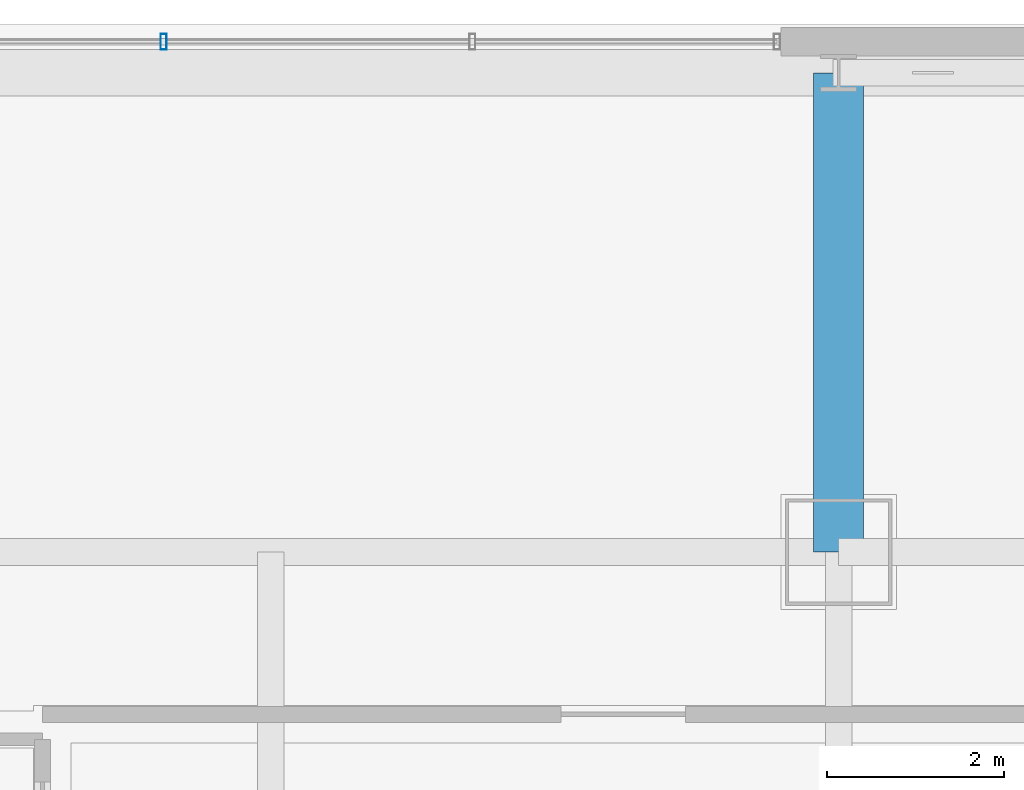
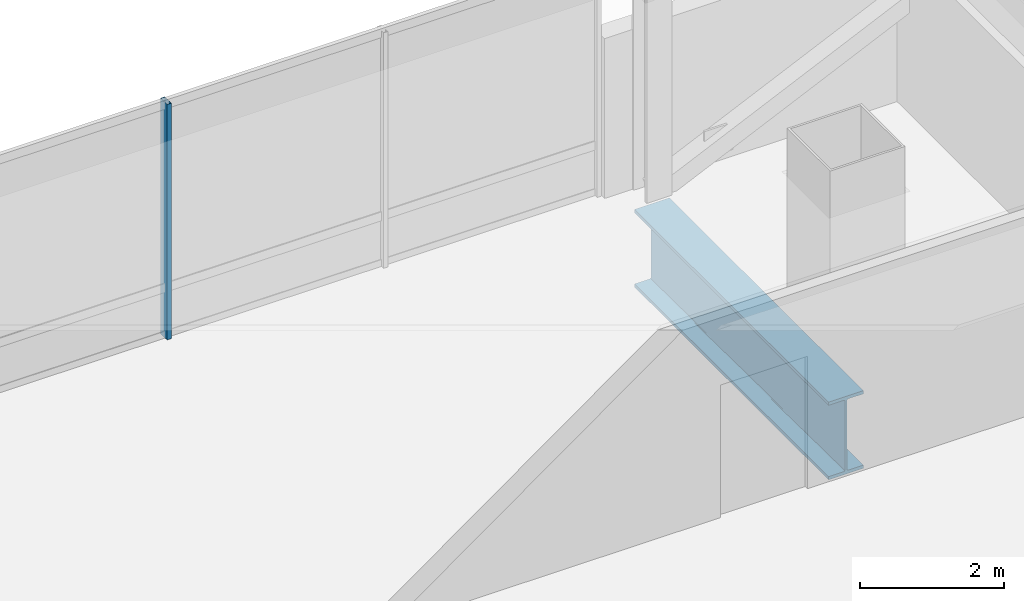
# One storey, part 24 of 43: 1 beam, 1 member, 1 element without a shape of its own.
"""IFC4 building model written with IfcOpenShell, lengths in metres."""

from ifc_helpers import new_model, si_unit, direction, frame, origin, origin_2d, place, context, subcontext, project, spatial, hollow_rectangle, i_section, extrude, material, material_profile, profile_set, type_object, element, aggregate, save


model = new_model("IFC4")

# Units and contexts
model_context = context("Model", 3, precision=1e-05, world=origin(), true_north=direction((0.0, 1.0)))
body_context = subcontext(model_context, "Body", "Model", "MODEL_VIEW")
ifc_project = project(units=[si_unit("LENGTHUNIT", "METRE"), si_unit("AREAUNIT", "SQUARE_METRE"), si_unit("VOLUMEUNIT", "CUBIC_METRE"), si_unit("PLANEANGLEUNIT", "RADIAN"), si_unit("MASSUNIT", "GRAM", prefix="KILO")], contexts=[model_context])

# Site, building, storey
site_placement = place(None, origin())
site = spatial("IfcSite", under=ifc_project, at=site_placement, CompositionType="ELEMENT")
building_placement = place(site_placement, origin())
building = spatial("IfcBuilding", under=site, at=building_placement, Name="Punatoya Terracotta Tower", CompositionType="ELEMENT")
storey_placement = place(building_placement, frame((0.0, 0.0, 300.60009765625)))
storey = spatial("IfcBuildingStorey", under=building, at=storey_placement, Name="L71", CompositionType="ELEMENT", Elevation=300.60009765625)

# Beam
ifc_material_1 = material(Name="Steel S460", Category="steel")
ifc_material_profile_1 = material_profile(ifc_material_1, i_section(OverallWidth=0.56005859375, OverallDepth=1.320068359375, WebThickness=0.035888671875, FlangeThickness=0.054931640625, FilletRadius=0.01806640625, at=origin_2d()))
ifc_profile_set_1 = profile_set([ifc_material_profile_1], Name="Steel S460")
beam_type = type_object("IfcBeamType", Name="BM-TG-BLK", PredefinedType="BEAM", material=ifc_profile_set_1)
beam_placement = place(storey_placement, frame((-3.800048828125, 17.5, -0.860107421875), z_axis=(0.0, 1.0, 0.0), x_axis=(-1.0, 0.0, 0.0)))
element("IfcBeam", 1, at=beam_placement, inside=storey, type_object=beam_type, Name="BM-L71-CANT-N2", PredefinedType="BEAM", context=body_context, shape_type="SweptSolid", body=[
    extrude(i_section(OverallWidth=0.56005859375, OverallDepth=1.320068359375, WebThickness=0.035888671875, FlangeThickness=0.054931640625, FilletRadius=0.01806640625, at=origin_2d()), origin(), (0.0, 0.0, 1.0), 5.39990234375),
])

# Curtain wall, member
ifc_material_2 = material(Name="Aluminium 6063-T6 + Double Low-E Glass", Category="aluminium")
curtain_wall_type = type_object("IfcCurtainWallType", Name="CW-M3", PredefinedType="NOTDEFINED", material=ifc_material_2)
curtain_wall_placement = place(storey_placement, origin())
curtain_wall = element("IfcCurtainWall", 2, at=curtain_wall_placement, inside=storey, type_object=curtain_wall_type, Name="L71 Curtain Wall CW-L71-N09-2", PredefinedType="NOTDEFINED")
ifc_material_3 = material(Name="Aluminium 6063-T6", Category="aluminium")
ifc_material_profile_2 = material_profile(ifc_material_3, hollow_rectangle(XDim=0.070068359375, YDim=0.179931640625, WallThickness=0.00390625, at=origin_2d()))
ifc_profile_set_2 = profile_set([ifc_material_profile_2], Name="Aluminium 6063-T6")
member_type = type_object("IfcMemberType", Name="CW-MUL-M3", PredefinedType="MULLION", material=ifc_profile_set_2)
member_placement = place(storey_placement, frame((-11.40478515625, 23.25, 0.0), z_axis=(0.0, 0.0, 1.0), x_axis=(1.0, 0.0, 0.0)))
member = element("IfcMember", 3, at=member_placement, type_object=member_type, Name="CW-L71-N09-2 Mullion 02", PredefinedType="MULLION", context=body_context, shape_type="SweptSolid", body=[
    extrude(hollow_rectangle(XDim=0.070068359375, YDim=0.179931640625, WallThickness=0.00390625, at=origin_2d()), origin(), (0.0, 0.0, 1.0), 4.0),
])
aggregate(curtain_wall, [member])

save(model, "model.ifc")
